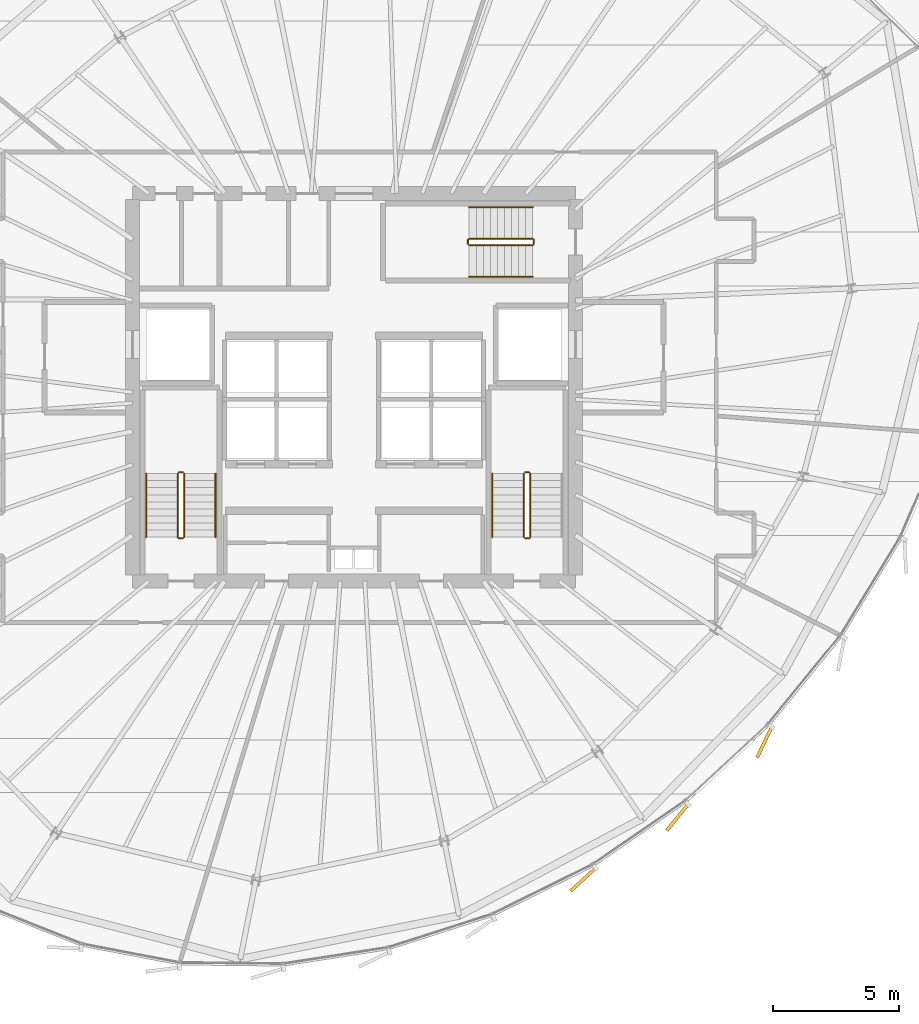
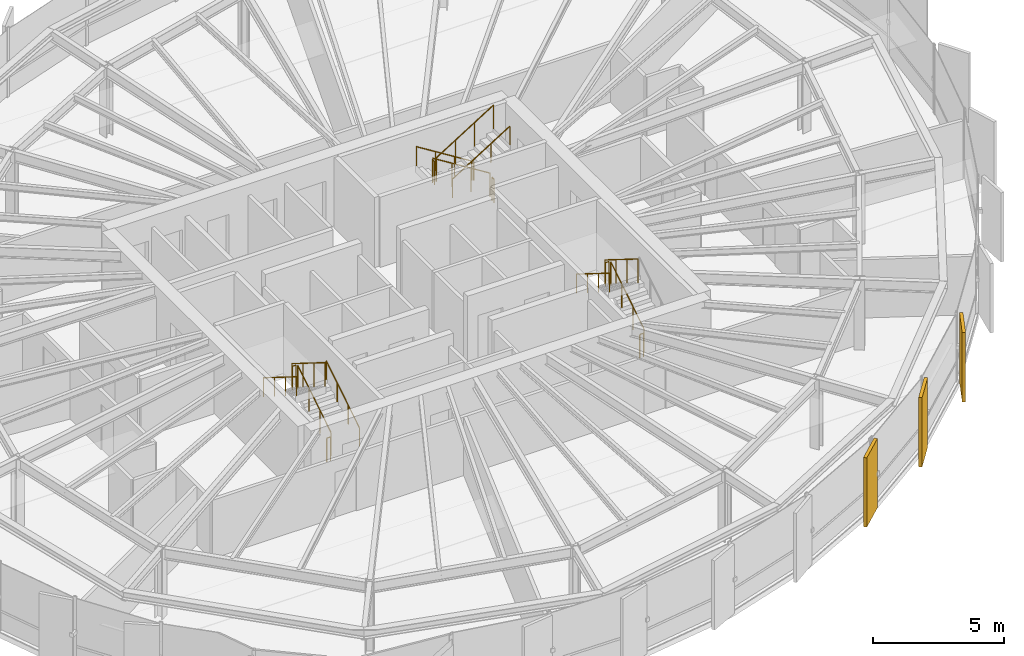
# One storey, part 33 of 34: 17 railings, 3 coverings.
"""IFC4 building model written with IfcOpenShell, lengths in metres."""

from ifc_helpers import new_model, si_unit, direction, frame, origin, origin_2d, place, context, subcontext, project, spatial, rectangle, circle, extrude, source, transform, mapped, material, layer, layer_set, type_object, element, save


model = new_model("IFC4")

# Units and contexts
model_context = context("Model", 3, precision=1e-05, world=origin(), true_north=direction((0.0, 1.0)))
body_context = subcontext(model_context, "Body", "Model", "MODEL_VIEW")
ifc_project = project(units=[si_unit("LENGTHUNIT", "METRE"), si_unit("AREAUNIT", "SQUARE_METRE"), si_unit("VOLUMEUNIT", "CUBIC_METRE"), si_unit("PLANEANGLEUNIT", "RADIAN"), si_unit("MASSUNIT", "GRAM", prefix="KILO"), si_unit("THERMODYNAMICTEMPERATUREUNIT", "KELVIN")], contexts=[model_context])

# Site, building, storey
site_placement = place(None, origin())
site = spatial("IfcSite", under=ifc_project, at=site_placement, CompositionType="ELEMENT")
building_placement = place(site_placement, origin())
building = spatial("IfcBuilding", under=site, at=building_placement, Name="Kethvar Cultural Tower", CompositionType="ELEMENT")
storey_placement = place(building_placement, frame((0.0, 0.0, 190.39990234375)))
storey = spatial("IfcBuildingStorey", under=building, at=storey_placement, Name="L49", CompositionType="ELEMENT", Elevation=190.39990234375)

# Railings
ifc_material_1 = material(Name="Steel S355J2", Category="steel")
railing_type_1 = type_object("IfcRailingType", Name="RL-STAIR-GUARD", PredefinedType="BALUSTRADE", material=ifc_material_1)
railing_1_placement = place(storey_placement, frame((40.050048828125, 21.85009765625, 0.175048828125)))
element("IfcRailing", 1, at=railing_1_placement, inside=storey, type_object=railing_type_1, Name="L49 ST-01 stair guard 1", PredefinedType="BALUSTRADE", context=body_context, shape_type="SweptSolid", body=[
    extrude(circle(Radius=0.02392578125, at=origin_2d()), frame((0.0, 0.0, 1.09619140625), z_axis=(0.0, 0.848007534815, 0.529984170421), x_axis=(-1.0, 0.0, 0.0)), (0.0, 0.0, 1.0), 2.9716796875),
    extrude(circle(Radius=0.02099609375, at=origin_2d()), origin(), (0.0, 0.0, 1.0), 1.072021484375),
    extrude(circle(Radius=0.02099609375, at=origin_2d()), frame((0.0, 0.840087890625, 0.52490234375)), (0.0, 0.0, 1.0), 1.072021484375),
    extrude(circle(Radius=0.02099609375, at=origin_2d()), frame((0.0, 1.679931640625, 1.050048828125)), (0.0, 0.0, 1.0), 1.072021484375),
    extrude(circle(Radius=0.02099609375, at=origin_2d()), frame((0.0, 2.52001953125, 1.574951171875)), (0.0, 0.0, 1.0), 1.072021484375),
])
railing_2_placement = place(storey_placement, frame((40.0, 24.419921875, 1.75)))
element("IfcRailing", 2, at=railing_2_placement, inside=storey, type_object=railing_type_1, Name="L49 ST-01 stair guard 2", PredefinedType="BALUSTRADE", context=body_context, shape_type="SweptSolid", body=[
    extrude(circle(Radius=0.02392578125, at=origin_2d()), frame((0.0, 0.0, 1.09619140625), z_axis=(-1.0, 0.0, 0.0), x_axis=(0.0, -1.0, 0.0)), (0.0, 0.0, 1.0), 0.159912109375),
    extrude(circle(Radius=0.02099609375, at=origin_2d()), origin(), (0.0, 0.0, 1.0), 1.072021484375),
    extrude(circle(Radius=0.02099609375, at=origin_2d()), frame((-0.159912109375, 0.0, 0.0)), (0.0, 0.0, 1.0), 1.072021484375),
])
railing_3_placement = place(storey_placement, frame((39.7900390625, 24.3701171875, 1.925048828125)))
element("IfcRailing", 3, at=railing_3_placement, inside=storey, type_object=railing_type_1, Name="L49 ST-01 stair guard 3", PredefinedType="BALUSTRADE", context=body_context, shape_type="SweptSolid", body=[
    extrude(circle(Radius=0.02392578125, at=origin_2d()), frame((0.0, 0.0, 1.09619140625), z_axis=(0.0, -0.848007534815, 0.529984170421), x_axis=(1.0, 0.0, 0.0)), (0.0, 0.0, 1.0), 2.9716796875),
    extrude(circle(Radius=0.02099609375, at=origin_2d()), origin(), (0.0, 0.0, 1.0), 1.072021484375),
    extrude(circle(Radius=0.02099609375, at=origin_2d()), frame((0.0, -0.840087890625, 0.52490234375)), (0.0, 0.0, 1.0), 1.072021484375),
    extrude(circle(Radius=0.02099609375, at=origin_2d()), frame((0.0, -1.679931640625, 1.050048828125)), (0.0, 0.0, 1.0), 1.072021484375),
    extrude(circle(Radius=0.02099609375, at=origin_2d()), frame((0.0, -2.52001953125, 1.574951171875)), (0.0, 0.0, 1.0), 1.072021484375),
])
railing_4_placement = place(storey_placement, frame((40.0, 21.800048828125, 0.0)))
element("IfcRailing", 4, at=railing_4_placement, inside=storey, type_object=railing_type_1, Name="L49 ST-01 stair guard 4", PredefinedType="BALUSTRADE", context=body_context, shape_type="SweptSolid", body=[
    extrude(circle(Radius=0.02392578125, at=origin_2d()), frame((0.0, 0.0, 1.09619140625), z_axis=(-1.0, 0.0, 0.0), x_axis=(0.0, -1.0, 0.0)), (0.0, 0.0, 1.0), 0.159912109375),
    extrude(circle(Radius=0.02099609375, at=origin_2d()), origin(), (0.0, 0.0, 1.0), 1.072021484375),
    extrude(circle(Radius=0.02099609375, at=origin_2d()), frame((-0.159912109375, 0.0, 0.0)), (0.0, 0.0, 1.0), 1.072021484375),
])
railing_5_placement = place(storey_placement, frame((53.81005859375, 21.85009765625, 0.175048828125)))
element("IfcRailing", 5, at=railing_5_placement, inside=storey, type_object=railing_type_1, Name="L49 ST-02 stair guard 1", PredefinedType="BALUSTRADE", context=body_context, shape_type="SweptSolid", body=[
    extrude(circle(Radius=0.02392578125, at=origin_2d()), frame((0.0, 0.0, 1.09619140625), z_axis=(0.0, 0.848007534815, 0.529984170421), x_axis=(-1.0, 0.0, 0.0)), (0.0, 0.0, 1.0), 2.9716796875),
    extrude(circle(Radius=0.02099609375, at=origin_2d()), origin(), (0.0, 0.0, 1.0), 1.072021484375),
    extrude(circle(Radius=0.02099609375, at=origin_2d()), frame((0.0, 0.840087890625, 0.52490234375)), (0.0, 0.0, 1.0), 1.072021484375),
    extrude(circle(Radius=0.02099609375, at=origin_2d()), frame((0.0, 1.679931640625, 1.050048828125)), (0.0, 0.0, 1.0), 1.072021484375),
    extrude(circle(Radius=0.02099609375, at=origin_2d()), frame((0.0, 2.52001953125, 1.574951171875)), (0.0, 0.0, 1.0), 1.072021484375),
])
railing_6_placement = place(storey_placement, frame((53.760009765625, 24.419921875, 1.75)))
element("IfcRailing", 6, at=railing_6_placement, inside=storey, type_object=railing_type_1, Name="L49 ST-02 stair guard 2", PredefinedType="BALUSTRADE", context=body_context, shape_type="SweptSolid", body=[
    extrude(circle(Radius=0.02392578125, at=origin_2d()), frame((0.0, 0.0, 1.09619140625), z_axis=(-1.0, 0.0, 0.0), x_axis=(0.0, -1.0, 0.0)), (0.0, 0.0, 1.0), 0.159912109375),
    extrude(circle(Radius=0.02099609375, at=origin_2d()), origin(), (0.0, 0.0, 1.0), 1.072021484375),
    extrude(circle(Radius=0.02099609375, at=origin_2d()), frame((-0.159912109375, 0.0, 0.0)), (0.0, 0.0, 1.0), 1.072021484375),
])
railing_7_placement = place(storey_placement, frame((53.550048828125, 24.3701171875, 1.925048828125)))
element("IfcRailing", 7, at=railing_7_placement, inside=storey, type_object=railing_type_1, Name="L49 ST-02 stair guard 3", PredefinedType="BALUSTRADE", context=body_context, shape_type="SweptSolid", body=[
    extrude(circle(Radius=0.02392578125, at=origin_2d()), frame((0.0, 0.0, 1.09619140625), z_axis=(0.0, -0.848007534815, 0.529984170421), x_axis=(1.0, 0.0, 0.0)), (0.0, 0.0, 1.0), 2.9716796875),
    extrude(circle(Radius=0.02099609375, at=origin_2d()), origin(), (0.0, 0.0, 1.0), 1.072021484375),
    extrude(circle(Radius=0.02099609375, at=origin_2d()), frame((0.0, -0.840087890625, 0.52490234375)), (0.0, 0.0, 1.0), 1.072021484375),
    extrude(circle(Radius=0.02099609375, at=origin_2d()), frame((0.0, -1.679931640625, 1.050048828125)), (0.0, 0.0, 1.0), 1.072021484375),
    extrude(circle(Radius=0.02099609375, at=origin_2d()), frame((0.0, -2.52001953125, 1.574951171875)), (0.0, 0.0, 1.0), 1.072021484375),
])
railing_8_placement = place(storey_placement, frame((53.760009765625, 21.800048828125, 0.0)))
element("IfcRailing", 8, at=railing_8_placement, inside=storey, type_object=railing_type_1, Name="L49 ST-02 stair guard 4", PredefinedType="BALUSTRADE", context=body_context, shape_type="SweptSolid", body=[
    extrude(circle(Radius=0.02392578125, at=origin_2d()), frame((0.0, 0.0, 1.09619140625), z_axis=(-1.0, 0.0, 0.0), x_axis=(0.0, -1.0, 0.0)), (0.0, 0.0, 1.0), 0.159912109375),
    extrude(circle(Radius=0.02099609375, at=origin_2d()), origin(), (0.0, 0.0, 1.0), 1.072021484375),
    extrude(circle(Radius=0.02099609375, at=origin_2d()), frame((-0.159912109375, 0.0, 0.0)), (0.0, 0.0, 1.0), 1.072021484375),
])
railing_9_placement = place(storey_placement, frame((53.89990234375, 33.7099609375, 0.175048828125)))
element("IfcRailing", 9, at=railing_9_placement, inside=storey, type_object=railing_type_1, Name="L49 ST-03 stair guard 1", PredefinedType="BALUSTRADE", context=body_context, shape_type="SweptSolid", body=[
    extrude(circle(Radius=0.02392578125, at=origin_2d()), frame((0.0, 0.0, 1.09619140625), z_axis=(-0.848007534815, 0.0, 0.529984170421), x_axis=(0.0, -1.0, 0.0)), (0.0, 0.0, 1.0), 2.9716796875),
    extrude(circle(Radius=0.02099609375, at=origin_2d()), origin(), (0.0, 0.0, 1.0), 1.072021484375),
    extrude(circle(Radius=0.02099609375, at=origin_2d()), frame((-0.840087890625, 0.0, 0.52490234375)), (0.0, 0.0, 1.0), 1.072021484375),
    extrude(circle(Radius=0.02099609375, at=origin_2d()), frame((-1.679931640625, 0.0, 1.050048828125)), (0.0, 0.0, 1.0), 1.072021484375),
    extrude(circle(Radius=0.02099609375, at=origin_2d()), frame((-2.52001953125, 0.0, 1.574951171875)), (0.0, 0.0, 1.0), 1.072021484375),
])
railing_10_placement = place(storey_placement, frame((51.330078125, 33.659912109375, 1.75)))
element("IfcRailing", 10, at=railing_10_placement, inside=storey, type_object=railing_type_1, Name="L49 ST-03 stair guard 2", PredefinedType="BALUSTRADE", context=body_context, shape_type="SweptSolid", body=[
    extrude(circle(Radius=0.02392578125, at=origin_2d()), frame((0.0, 0.0, 1.09619140625), z_axis=(0.0, -1.0, 0.0), x_axis=(1.0, 0.0, 0.0)), (0.0, 0.0, 1.0), 0.159912109375),
    extrude(circle(Radius=0.02099609375, at=origin_2d()), origin(), (0.0, 0.0, 1.0), 1.072021484375),
    extrude(circle(Radius=0.02099609375, at=origin_2d()), frame((0.0, -0.159912109375, 0.0)), (0.0, 0.0, 1.0), 1.072021484375),
])
railing_11_placement = place(storey_placement, frame((51.3798828125, 33.449951171875, 1.925048828125)))
element("IfcRailing", 11, at=railing_11_placement, inside=storey, type_object=railing_type_1, Name="L49 ST-03 stair guard 3", PredefinedType="BALUSTRADE", context=body_context, shape_type="SweptSolid", body=[
    extrude(circle(Radius=0.02392578125, at=origin_2d()), frame((0.0, 0.0, 1.09619140625), z_axis=(0.848007534815, 0.0, 0.529984170421), x_axis=(0.0, 1.0, 0.0)), (0.0, 0.0, 1.0), 2.9716796875),
    extrude(circle(Radius=0.02099609375, at=origin_2d()), origin(), (0.0, 0.0, 1.0), 1.072021484375),
    extrude(circle(Radius=0.02099609375, at=origin_2d()), frame((0.840087890625, 0.0, 0.52490234375)), (0.0, 0.0, 1.0), 1.072021484375),
    extrude(circle(Radius=0.02099609375, at=origin_2d()), frame((1.679931640625, 0.0, 1.050048828125)), (0.0, 0.0, 1.0), 1.072021484375),
    extrude(circle(Radius=0.02099609375, at=origin_2d()), frame((2.52001953125, 0.0, 1.574951171875)), (0.0, 0.0, 1.0), 1.072021484375),
])
railing_12_placement = place(storey_placement, frame((53.949951171875, 33.659912109375, 0.0)))
element("IfcRailing", 12, at=railing_12_placement, inside=storey, type_object=railing_type_1, Name="L49 ST-03 stair guard 4", PredefinedType="BALUSTRADE", context=body_context, shape_type="SweptSolid", body=[
    extrude(circle(Radius=0.02392578125, at=origin_2d()), frame((0.0, 0.0, 1.09619140625), z_axis=(0.0, -1.0, 0.0), x_axis=(1.0, 0.0, 0.0)), (0.0, 0.0, 1.0), 0.159912109375),
    extrude(circle(Radius=0.02099609375, at=origin_2d()), origin(), (0.0, 0.0, 1.0), 1.072021484375),
    extrude(circle(Radius=0.02099609375, at=origin_2d()), frame((0.0, -0.159912109375, 0.0)), (0.0, 0.0, 1.0), 1.072021484375),
])
railing_type_2 = type_object("IfcRailingType", Name="RL-STAIR-HANDRAIL", PredefinedType="HANDRAIL", material=ifc_material_1)
railing_13_placement = place(storey_placement, frame((41.300048828125, 21.85009765625, 0.175048828125)))
element("IfcRailing", 13, at=railing_13_placement, inside=storey, type_object=railing_type_2, Name="L49 ST-01 stair handrail 1", PredefinedType="HANDRAIL", context=body_context, shape_type="SweptSolid", body=[
    extrude(circle(Radius=0.02392578125, at=origin_2d()), frame((0.0, 0.0, 0.8759765625), z_axis=(0.0, 0.848007534815, 0.529984170421), x_axis=(-1.0, 0.0, 0.0)), (0.0, 0.0, 1.0), 2.9716796875),
    extrude(circle(Radius=0.02099609375, at=origin_2d()), origin(), (0.0, 0.0, 1.0), 0.851806640625),
    extrude(circle(Radius=0.02099609375, at=origin_2d()), frame((0.0, 0.840087890625, 0.52490234375)), (0.0, 0.0, 1.0), 0.851806640625),
    extrude(circle(Radius=0.02099609375, at=origin_2d()), frame((0.0, 1.679931640625, 1.050048828125)), (0.0, 0.0, 1.0), 0.851806640625),
    extrude(circle(Radius=0.02099609375, at=origin_2d()), frame((0.0, 2.52001953125, 1.574951171875)), (0.0, 0.0, 1.0), 0.851806640625),
])
for number, where, name in (
    (14, (38.5400390625, 24.3701171875, 1.925048828125), "L49 ST-01 stair handrail 2"),
    (15, (52.300048828125, 24.3701171875, 1.925048828125), "L49 ST-02 stair handrail 2"),
):
    element("IfcRailing", number, at=place(storey_placement, frame(where)), inside=storey, type_object=railing_type_2, Name=name, PredefinedType="HANDRAIL", context=body_context, shape_type="SweptSolid", body=[
        extrude(circle(Radius=0.02392578125, at=origin_2d()), frame((0.0, 0.0, 0.8759765625), z_axis=(0.0, -0.848007534815, 0.529984170421), x_axis=(1.0, 0.0, 0.0)), (0.0, 0.0, 1.0), 2.9716796875),
        extrude(circle(Radius=0.02099609375, at=origin_2d()), origin(), (0.0, 0.0, 1.0), 0.851806640625),
        extrude(circle(Radius=0.02099609375, at=origin_2d()), frame((0.0, -0.840087890625, 0.52490234375)), (0.0, 0.0, 1.0), 0.851806640625),
        extrude(circle(Radius=0.02099609375, at=origin_2d()), frame((0.0, -1.679931640625, 1.050048828125)), (0.0, 0.0, 1.0), 0.851806640625),
        extrude(circle(Radius=0.02099609375, at=origin_2d()), frame((0.0, -2.52001953125, 1.574951171875)), (0.0, 0.0, 1.0), 0.851806640625),
    ])
railing_14_placement = place(storey_placement, frame((53.89990234375, 34.9599609375, 0.175048828125)))
element("IfcRailing", 16, at=railing_14_placement, inside=storey, type_object=railing_type_2, Name="L49 ST-03 stair handrail 1", PredefinedType="HANDRAIL", context=body_context, shape_type="SweptSolid", body=[
    extrude(circle(Radius=0.02392578125, at=origin_2d()), frame((0.0, 0.0, 0.8759765625), z_axis=(-0.848007534815, 0.0, 0.529984170421), x_axis=(0.0, -1.0, 0.0)), (0.0, 0.0, 1.0), 2.9716796875),
    extrude(circle(Radius=0.02099609375, at=origin_2d()), origin(), (0.0, 0.0, 1.0), 0.851806640625),
    extrude(circle(Radius=0.02099609375, at=origin_2d()), frame((-0.840087890625, 0.0, 0.52490234375)), (0.0, 0.0, 1.0), 0.851806640625),
    extrude(circle(Radius=0.02099609375, at=origin_2d()), frame((-1.679931640625, 0.0, 1.050048828125)), (0.0, 0.0, 1.0), 0.851806640625),
    extrude(circle(Radius=0.02099609375, at=origin_2d()), frame((-2.52001953125, 0.0, 1.574951171875)), (0.0, 0.0, 1.0), 0.851806640625),
])
railing_15_placement = place(storey_placement, frame((51.3798828125, 32.199951171875, 1.925048828125)))
element("IfcRailing", 17, at=railing_15_placement, inside=storey, type_object=railing_type_2, Name="L49 ST-03 stair handrail 2", PredefinedType="HANDRAIL", context=body_context, shape_type="SweptSolid", body=[
    extrude(circle(Radius=0.02392578125, at=origin_2d()), frame((0.0, 0.0, 0.8759765625), z_axis=(0.848007534815, 0.0, 0.529984170421), x_axis=(0.0, 1.0, 0.0)), (0.0, 0.0, 1.0), 2.9716796875),
    extrude(circle(Radius=0.02099609375, at=origin_2d()), origin(), (0.0, 0.0, 1.0), 0.851806640625),
    extrude(circle(Radius=0.02099609375, at=origin_2d()), frame((0.840087890625, 0.0, 0.52490234375)), (0.0, 0.0, 1.0), 0.851806640625),
    extrude(circle(Radius=0.02099609375, at=origin_2d()), frame((1.679931640625, 0.0, 1.050048828125)), (0.0, 0.0, 1.0), 0.851806640625),
    extrude(circle(Radius=0.02099609375, at=origin_2d()), frame((2.52001953125, 0.0, 1.574951171875)), (0.0, 0.0, 1.0), 0.851806640625),
])

# Coverings
ifc_material_2 = material(Name="Extruded Architectural Terracotta", Category="masonry")
ifc_layer = layer(ifc_material_2, 0.135009765625, Name="Extruded Architectural Terracotta", Category="masonry")
ifc_layer_set = layer_set([ifc_layer], Name="Extruded Architectural Terracotta (135 mm)")
covering_type = type_object("IfcCoveringType", Name="Terracotta Facade Fin FIN-03", PredefinedType="CLADDING", material=ifc_layer_set)
shared_shape = source(origin(), body_context, "Body", "SweptSolid", [
    extrude(rectangle(XDim=1.35009765625, YDim=0.135009765625, at=origin_2d()), origin(), (0.0, 0.0, 1.0), 3.219970703125),
])
for number, where, z_axis, x_axis, name in (
    (18, (55.91064453125, 8.236083984375, 0.02001953125), (0.0, 0.0, 1.0), (-0.73609708712, -0.676875969683, 0.0), "L49 Vertical Terracotta Fin 6.1"),
    (19, (59.656005859375, 10.706298828125, 0.02001953125), (0.0, 0.0, 1.0), (-0.632299770811, -0.77472382165, 0.0), "L49 Vertical Terracotta Fin 6.2"),
    (20, (63.115966796875, 13.697021484375, 0.02001953125), (0.0, 0.0, 1.0), (-0.430983630323, -0.902359745553, 0.0), "L49 Vertical Terracotta Fin 6.3"),
):
    element("IfcCovering", number, at=place(storey_placement, frame(where, z_axis=z_axis, x_axis=x_axis)), inside=storey, type_object=covering_type, Name=name, PredefinedType="CLADDING", context=body_context, shape_type="MappedRepresentation", body=[
        mapped(shared_shape, transform((0.0, 0.0, 0.0), scale=1.0)),
    ])

save(model, "model.ifc")
